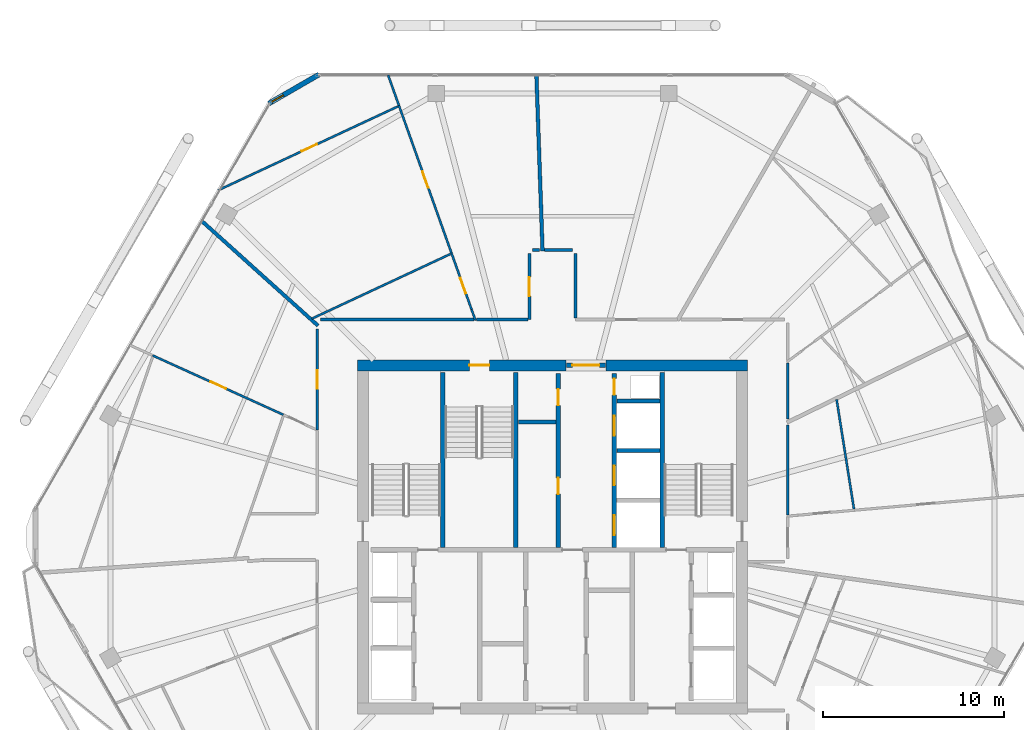
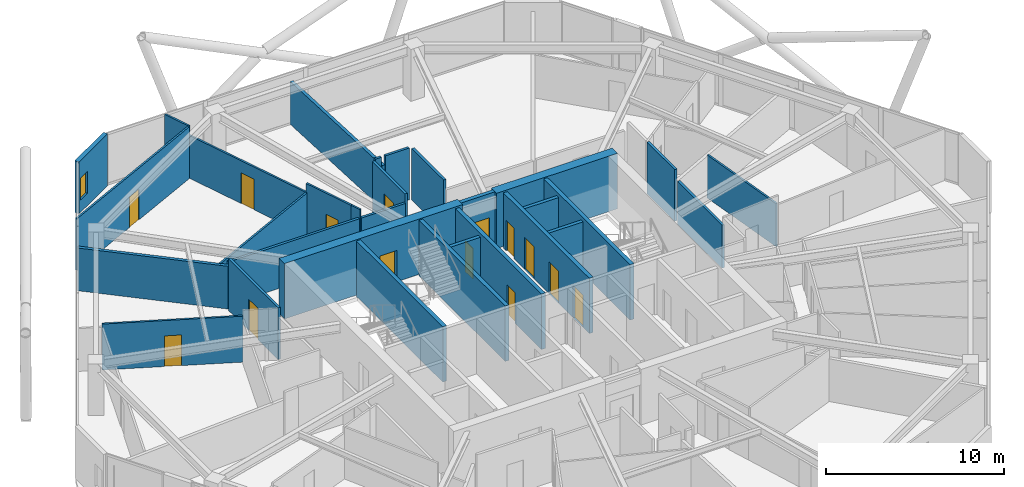
# One storey, part 23 of 27: 31 walls, 14 doors, 1 window, 15 openings.
"""IFC4 building model written with IfcOpenShell, lengths in metres."""

from ifc_helpers import new_model, si_unit, direction, frame, frame_2d, origin, place, context, subcontext, project, spatial, rectangle, extrude, material, layer, layer_set, type_object, element, fill, save


model = new_model("IFC4")

# Units and contexts
model_context = context("Model", 3, precision=1e-05, world=origin(), true_north=direction((0.0, 1.0)))
body_context = subcontext(model_context, "Body", "Model", "MODEL_VIEW")
ifc_project = project(units=[si_unit("LENGTHUNIT", "METRE"), si_unit("AREAUNIT", "SQUARE_METRE"), si_unit("VOLUMEUNIT", "CUBIC_METRE"), si_unit("PLANEANGLEUNIT", "RADIAN"), si_unit("MASSUNIT", "GRAM", prefix="KILO")], contexts=[model_context])

# Site, building, storey
site_placement = place(None, origin())
site = spatial("IfcSite", under=ifc_project, at=site_placement, CompositionType="ELEMENT")
building_placement = place(site_placement, origin())
building = spatial("IfcBuilding", under=site, at=building_placement, Name="Zuhravey Tower", CompositionType="ELEMENT")
storey_placement = place(building_placement, frame((0.0, 0.0, 238.800048828125)))
storey = spatial("IfcBuildingStorey", under=building, at=storey_placement, Name="L60", CompositionType="ELEMENT", Elevation=238.800048828125)

# Wall
ifc_material_1 = material(Name="Concrete C50/60", Category="concrete")
ifc_layer_1 = layer(ifc_material_1, 0.60009765625)
ifc_layer_set_1 = layer_set([ifc_layer_1], Name="Concrete C50/60")
wall_type_1 = type_object("IfcWallType", Name="Core Shear Wall 600", PredefinedType="SHEAR", material=ifc_layer_set_1)
wall_1_placement = place(storey_placement, frame((46.800048828125, 41.5, 0.0), z_axis=(0.0, 0.0, 1.0), x_axis=(-1.0, 0.0, 0.0)))
element("IfcWall", 1, at=wall_1_placement, inside=storey, type_object=wall_type_1, Name="L60 North-East Core Shear Wall CW60", PredefinedType="SHEAR", context=body_context, shape_type="SweptSolid", body=[
    extrude(rectangle(XDim=7.85009765625, YDim=0.60009765625, at=frame_2d((3.925048828125, 0.0))), origin(), (0.0, 0.0, 1.0), 3.800048828125),
])

# Wall, opening, door
wall_2_placement = place(storey_placement, frame((36.75, 41.5, 0.0), z_axis=(0.0, 0.0, 1.0), x_axis=(-1.0, 0.0, 0.0)))
wall_2 = element("IfcWall", 2, at=wall_2_placement, inside=storey, type_object=wall_type_1, Name="L60 North-West Core Shear Wall CW60", PredefinedType="SHEAR", context=body_context, shape_type="SweptSolid", body=[
    extrude(rectangle(XDim=11.550048828125, YDim=0.60009765625, at=frame_2d((5.77490234375, 0.0))), origin(), (0.0, 0.0, 1.0), 3.800048828125),
])
opening_1_placement = place(wall_2_placement, frame((4.25, 0.0, 0.0)))
opening_1 = element("IfcOpeningElement", 3, at=opening_1_placement, cuts=wall_2, Name="Opening STD1", PredefinedType="OPENING", context=body_context, shape_type="SweptSolid", body=[
    extrude(rectangle(XDim=1.10009765625, YDim=2.14990234375, at=frame_2d((0.550048828125, 1.074951171875))), frame((0.0, 0.31201171875, 0.0), z_axis=(0.0, -1.0, 0.0), x_axis=(1.0, 0.0, 0.0)), (0.0, 0.0, 1.0), 0.6240234375),
])
ifc_material_2 = material(Name="Galvanised fire-rated steel leaf", Category="steel")
door_type_1 = type_object("IfcDoorType", Name="Protected Stair Fire Door 1100x2150", OperationType="NOTDEFINED", PredefinedType="USERDEFINED", material=ifc_material_2)
door_1_placement = place(opening_1_placement, origin())
door_1 = element("IfcDoor", 4, at=door_1_placement, inside=storey, type_object=door_type_1, Name="L60 Stair ST3 Door", ObjectType="EXITDOOR", OperationType="SINGLE_SWING_LEFT", OverallHeight=2.14990234375, OverallWidth=1.10009765625, PredefinedType="USERDEFINED", context=body_context, shape_type="SweptSolid", body=[
    extrude(rectangle(XDim=1.10009765625, YDim=2.14990234375, at=frame_2d((0.550048828125, 1.074951171875))), frame((0.0, 0.02490234375, 0.0), z_axis=(0.0, -1.0, 0.0), x_axis=(1.0, 0.0, 0.0)), (0.0, 0.0, 1.0), 0.050048828125),
])
fill(opening_1, door_1)

ifc_material_3 = material(Name="Gypsum fire-rated stud partition")
ifc_layer_2 = layer(ifc_material_3, 0.159912109375)
ifc_layer_set_2 = layer_set([ifc_layer_2], Name="Gypsum fire-rated stud partition")
wall_type_2 = type_object("IfcWallType", Name="Corridor Fire Partition 160", PredefinedType="PARTITIONING", material=ifc_layer_set_2)
wall_3_placement = place(storey_placement, frame((34.719970703125, 47.699951171875, 0.0), z_axis=(0.0, 0.0, 1.0), x_axis=(0.0, -1.0, 0.0)))
wall_3 = element("IfcWall", 5, at=wall_3_placement, inside=storey, type_object=wall_type_2, Name="L60 IW16 Partition 024", PredefinedType="PARTITIONING", context=body_context, shape_type="SweptSolid", body=[
    extrude(rectangle(XDim=3.669921875, YDim=0.159912109375, at=frame_2d((1.8349609375, 0.0))), origin(), (0.0, 0.0, 1.0), 3.550048828125),
])
opening_2_placement = place(wall_3_placement, frame((1.31005859375, 0.0, 0.0)))
opening_2 = element("IfcOpeningElement", 6, at=opening_2_placement, cuts=wall_3, Name="Opening APD1", PredefinedType="OPENING", context=body_context, shape_type="SweptSolid", body=[
    extrude(rectangle(XDim=1.050048828125, YDim=2.14990234375, at=frame_2d((0.52490234375, 1.074951171875))), frame((0.0, 0.092041015625, 0.0), z_axis=(0.0, -1.0, 0.0), x_axis=(1.0, 0.0, 0.0)), (0.0, 0.0, 1.0), 0.183837890625),
])
ifc_material_4 = material(Name="Solid-core oak fire-rated leaf")
door_type_2 = type_object("IfcDoorType", Name="Apartment Entrance Fire Door 1050x2150", OperationType="NOTDEFINED", PredefinedType="DOOR", material=ifc_material_4)
door_2_placement = place(opening_2_placement, frame((1.050048828125, 0.0, 0.0), z_axis=(0.0, 0.0, 1.0), x_axis=(-1.0, 0.0, 0.0)))
door_2 = element("IfcDoor", 7, at=door_2_placement, inside=storey, type_object=door_type_2, Name="L60 Door 024.1", OperationType="SINGLE_SWING_RIGHT", OverallHeight=2.14990234375, OverallWidth=1.050048828125, PredefinedType="DOOR", context=body_context, shape_type="SweptSolid", body=[
    extrude(rectangle(XDim=1.050048828125, YDim=2.14990234375, at=frame_2d((0.52490234375, 1.074951171875))), frame((0.0, 0.02490234375, 0.0), z_axis=(0.0, -1.0, 0.0), x_axis=(1.0, 0.0, 0.0)), (0.0, 0.0, 1.0), 0.050048828125),
])
fill(opening_2, door_2)

wall_4_placement = place(storey_placement, frame((22.969970703125, 43.501220703125, 0.0), z_axis=(0.0, 0.0, 1.0), x_axis=(0.0, -1.0, 0.0)))
wall_4 = element("IfcWall", 8, at=wall_4_placement, inside=storey, type_object=wall_type_2, Name="L60 IW16 Partition 028", PredefinedType="PARTITIONING", context=body_context, shape_type="SweptSolid", body=[
    extrude(rectangle(XDim=5.568603515625, YDim=0.159912109375, at=frame_2d((2.7841796875, 0.0))), origin(), (0.0, 0.0, 1.0), 3.550048828125),
])
opening_3_placement = place(wall_4_placement, frame((2.25927734375, 0.0, 0.0)))
opening_3 = element("IfcOpeningElement", 9, at=opening_3_placement, cuts=wall_4, Name="Opening APD1", PredefinedType="OPENING", context=body_context, shape_type="SweptSolid", body=[
    extrude(rectangle(XDim=1.050048828125, YDim=2.14990234375, at=frame_2d((0.52490234375, 1.074951171875))), frame((0.0, 0.092041015625, 0.0), z_axis=(0.0, -1.0, 0.0), x_axis=(1.0, 0.0, 0.0)), (0.0, 0.0, 1.0), 0.183837890625),
])
door_3_placement = place(opening_3_placement, frame((1.050048828125, 0.0, 0.0), z_axis=(0.0, 0.0, 1.0), x_axis=(-1.0, 0.0, 0.0)))
door_3 = element("IfcDoor", 10, at=door_3_placement, inside=storey, type_object=door_type_2, Name="L60 Door 028.1", OperationType="SINGLE_SWING_RIGHT", OverallHeight=2.14990234375, OverallWidth=1.050048828125, PredefinedType="DOOR", context=body_context, shape_type="SweptSolid", body=[
    extrude(rectangle(XDim=1.050048828125, YDim=2.14990234375, at=frame_2d((0.52490234375, 1.074951171875))), frame((0.0, 0.02490234375, 0.0), z_axis=(0.0, -1.0, 0.0), x_axis=(1.0, 0.0, 0.0)), (0.0, 0.0, 1.0), 0.050048828125),
])
fill(opening_3, door_3)

# Walls
wall_5_placement = place(storey_placement, frame((34.632080078125, 44.030029296875, 0.0), z_axis=(0.0, 0.0, 1.0), x_axis=(-1.0, 0.0, 0.0)))
element("IfcWall", 11, at=wall_5_placement, inside=storey, type_object=wall_type_2, Name="L60 IW16 Partition 094", PredefinedType="PARTITIONING", context=body_context, shape_type="SweptSolid", body=[
    extrude(rectangle(XDim=2.843505859375, YDim=0.159912109375, at=frame_2d((1.421875, 0.0))), origin(), (0.0, 0.0, 1.0), 2.949951171875),
])
wall_6_placement = place(storey_placement, frame((35.28662109375, 47.8798828125, 0.0), z_axis=(0.0, 0.0, 1.0), x_axis=(-1.0, 0.0, 0.0)))
element("IfcWall", 12, at=wall_6_placement, inside=storey, type_object=wall_type_2, Name="L60 IW16 Partition 095", PredefinedType="PARTITIONING", context=body_context, shape_type="SweptSolid", body=[
    extrude(rectangle(XDim=0.38671875, YDim=0.159912109375, at=frame_2d((0.193359375, 0.0))), origin(), (0.0, 0.0, 1.0), 3.550048828125),
])
wall_7_placement = place(storey_placement, frame((31.64404296875, 44.030029296875, 0.0), z_axis=(0.0, 0.0, 1.0), x_axis=(-1.0, 0.0, 0.0)))
element("IfcWall", 13, at=wall_7_placement, inside=storey, type_object=wall_type_2, Name="L60 IW16 Partition 096", PredefinedType="PARTITIONING", context=body_context, shape_type="SweptSolid", body=[
    extrude(rectangle(XDim=8.494140625, YDim=0.159912109375, at=frame_2d((4.2470703125, 0.0))), origin(), (0.0, 0.0, 1.0), 2.949951171875),
])
wall_8_placement = place(storey_placement, frame((49.030029296875, 33.21728515625, 0.0), z_axis=(0.0, 0.0, 1.0), x_axis=(0.0, 1.0, 0.0)))
element("IfcWall", 14, at=wall_8_placement, inside=storey, type_object=wall_type_2, Name="L60 IW16 Partition 111", PredefinedType="PARTITIONING", context=body_context, shape_type="SweptSolid", body=[
    extrude(rectangle(XDim=4.9755859375, YDim=0.159912109375, at=frame_2d((2.48779296875, 0.0))), origin(), (0.0, 0.0, 1.0), 2.949951171875),
])
wall_9_placement = place(storey_placement, frame((49.030029296875, 38.518798828125, 0.0), z_axis=(0.0, 0.0, 1.0), x_axis=(0.0, 1.0, 0.0)))
element("IfcWall", 15, at=wall_9_placement, inside=storey, type_object=wall_type_2, Name="L60 IW16 Partition 113", PredefinedType="PARTITIONING", context=body_context, shape_type="SweptSolid", body=[
    extrude(rectangle(XDim=3.119140625, YDim=0.159912109375, at=frame_2d((1.5595703125, 0.0))), origin(), (0.0, 0.0, 1.0), 3.550048828125),
])
wall_10_placement = place(storey_placement, frame((37.280029296875, 44.117919921875, 0.0), z_axis=(0.0, 0.0, 1.0), x_axis=(0.0, 1.0, 0.0)))
element("IfcWall", 16, at=wall_10_placement, inside=storey, type_object=wall_type_2, Name="L60 IW16 Partition 114", PredefinedType="PARTITIONING", context=body_context, shape_type="SweptSolid", body=[
    extrude(rectangle(XDim=3.58203125, YDim=0.159912109375, at=frame_2d((1.791015625, 0.0))), origin(), (0.0, 0.0, 1.0), 3.550048828125),
])
wall_11_placement = place(storey_placement, frame((37.10009765625, 47.8798828125, 0.0), z_axis=(0.0, 0.0, 1.0), x_axis=(-1.0, 0.0, 0.0)))
element("IfcWall", 17, at=wall_11_placement, inside=storey, type_object=wall_type_2, Name="L60 IW16 Partition 115", PredefinedType="PARTITIONING", context=body_context, shape_type="SweptSolid", body=[
    extrude(rectangle(XDim=1.54638671875, YDim=0.159912109375, at=frame_2d((0.773193359375, 0.0))), origin(), (0.0, 0.0, 1.0), 3.550048828125),
])

# Wall, opening, window
ifc_material_5 = material(Name="Precast concrete C40/50", Category="concrete")
ifc_layer_3 = layer(ifc_material_5, 0.280029296875)
ifc_layer_set_3 = layer_set([ifc_layer_3], Name="Precast concrete C40/50")
wall_type_3 = type_object("IfcWallType", Name="Crown Architectural Wall 280", PredefinedType="SOLIDWALL", material=ifc_layer_set_3)
wall_12_placement = place(storey_placement, frame((20.285400390625, 56.003662109375, 0.0), z_axis=(0.0, 0.0, 1.0), x_axis=(0.866028773314, 0.499994163758, 0.0)))
wall_12 = element("IfcWall", 18, at=wall_12_placement, inside=storey, type_object=wall_type_3, Name="L60 Rounded Corner Closure Wall EW28-08", PredefinedType="SOLIDWALL", context=body_context, shape_type="SweptSolid", body=[
    extrude(rectangle(XDim=3.21484375, YDim=0.280029296875, at=frame_2d((1.607421875, 0.0))), origin(), (0.0, 0.0, 1.0), 3.550048828125),
])
opening_4_placement = place(wall_12_placement, frame((0.17578125, 0.0, 0.85009765625)))
opening_4 = element("IfcOpeningElement", 19, at=opening_4_placement, cuts=wall_12, Name="Opening WN5", PredefinedType="OPENING", context=body_context, shape_type="SweptSolid", body=[
    extrude(rectangle(XDim=0.75, YDim=1.5, at=frame_2d((0.375, 0.75))), frame((0.0, 0.152099609375, 0.0), z_axis=(0.0, -1.0, 0.0), x_axis=(1.0, 0.0, 0.0)), (0.0, 0.0, 1.0), 0.303955078125),
])
ifc_material_6 = material(Name="Thermally broken aluminium and triple low-E glass", Category="aluminium")
window_type = type_object("IfcWindowType", Name="Residential Corner Casement Window 750x1500", PartitioningType="SINGLE_PANEL", PredefinedType="WINDOW", material=ifc_material_6)
window_placement = place(opening_4_placement, origin())
window = element("IfcWindow", 20, at=window_placement, inside=storey, type_object=window_type, Name="L60 Corner Casement Window WN5-08.1", OverallHeight=1.5, OverallWidth=0.75, PartitioningType="SINGLE_PANEL", PredefinedType="WINDOW", context=body_context, shape_type="SweptSolid", body=[
    extrude(rectangle(XDim=0.75, YDim=1.5, at=frame_2d((0.375, 0.75))), frame((0.0, 0.030029296875, 0.0), z_axis=(0.0, -1.0, 0.0), x_axis=(1.0, 0.0, 0.0)), (0.0, 0.0, 1.0), 0.06005859375),
])
fill(opening_4, window)

# Wall, opening, door
ifc_layer_4 = layer(ifc_material_1, 0.25)
ifc_layer_set_4 = layer_set([ifc_layer_4], Name="Concrete C50/60")
wall_type_4 = type_object("IfcWallType", Name="Firefighting Shaft & Stair Wall 250", PredefinedType="SOLIDWALL", material=ifc_layer_set_4)
wall_13_placement = place(storey_placement, frame((36.760009765625, 41.5, 0.0), z_axis=(0.0, 0.0, 1.0), x_axis=(1.0, 0.0, 0.0)))
wall_13 = element("IfcWall", 21, at=wall_13_placement, inside=storey, type_object=wall_type_4, Name="L60 FW25 Shaft Wall 002", PredefinedType="SOLIDWALL", context=body_context, shape_type="SweptSolid", body=[
    extrude(rectangle(XDim=2.179931640625, YDim=0.25, at=frame_2d((1.08984375, 0.0))), origin(), (0.0, 0.0, 1.0), 3.800048828125),
])
opening_5_placement = place(wall_13_placement, frame((0.340087890625, 0.0, 0.0)))
opening_5 = element("IfcOpeningElement", 22, at=opening_5_placement, cuts=wall_13, Name="Opening FFD1", PredefinedType="OPENING", context=body_context, shape_type="SweptSolid", body=[
    extrude(rectangle(XDim=1.5, YDim=2.14990234375, at=frame_2d((0.75, 1.074951171875))), frame((0.0, 0.136962890625, 0.0), z_axis=(0.0, -1.0, 0.0), x_axis=(1.0, 0.0, 0.0)), (0.0, 0.0, 1.0), 0.27392578125),
])
door_type_3 = type_object("IfcDoorType", Name="Firefighting Lobby Double Door 1500x2150", OperationType="DOUBLE_DOOR_SINGLE_SWING", PredefinedType="DOOR", material=ifc_material_2)
door_4_placement = place(opening_5_placement, origin())
door_4 = element("IfcDoor", 23, at=door_4_placement, inside=storey, type_object=door_type_3, Name="L60 North Lift Lobby Exit Door", OperationType="DOUBLE_DOOR_SINGLE_SWING", OverallHeight=2.14990234375, OverallWidth=1.5, PredefinedType="DOOR", context=body_context, shape_type="SweptSolid", body=[
    extrude(rectangle(XDim=1.5, YDim=2.14990234375, at=frame_2d((0.75, 1.074951171875))), frame((0.0, 0.02490234375, 0.0), z_axis=(0.0, -1.0, 0.0), x_axis=(1.0, 0.0, 0.0)), (0.0, 0.0, 1.0), 0.050048828125),
])
fill(opening_5, door_4)

# Walls
for number, where, z_axis, x_axis, name in (
    (24, (29.925048828125, 31.39990234375, 0.0), (0.0, 0.0, 1.0), (0.0, 1.0, 0.0), "L60 FW25 Shaft Wall 004"),
    (25, (33.97509765625, 31.39990234375, 0.0), (0.0, 0.0, 1.0), (0.0, 1.0, 0.0), "L60 FW25 Shaft Wall 005"),
    (26, (42.074951171875, 31.39990234375, 0.0), (0.0, 0.0, 1.0), (0.0, 1.0, 0.0), "L60 FW25 Shaft Wall 006"),
):
    element("IfcWall", number, at=place(storey_placement, frame(where, z_axis=z_axis, x_axis=x_axis)), inside=storey, type_object=wall_type_4, Name=name, PredefinedType="SOLIDWALL", context=body_context, shape_type="SweptSolid", body=[
        extrude(rectangle(XDim=9.7001953125, YDim=0.25, at=frame_2d((4.85009765625, 0.0))), origin(), (0.0, 0.0, 1.0), 3.800048828125),
    ])

# Wall, openings, doors
wall_14_placement = place(storey_placement, frame((36.324951171875, 31.39990234375, 0.0), z_axis=(0.0, 0.0, 1.0), x_axis=(0.0, 1.0, 0.0)))
wall_14 = element("IfcWall", 27, at=wall_14_placement, inside=storey, type_object=wall_type_4, Name="L60 FW25 Shaft Wall 007", PredefinedType="SOLIDWALL", context=body_context, shape_type="SweptSolid", body=[
    extrude(rectangle(XDim=9.650146484375, YDim=0.25, at=frame_2d((4.8251953125, 0.0))), origin(), (0.0, 0.0, 1.0), 3.800048828125),
])
opening_6_placement = place(wall_14_placement, frame((2.965087890625, 0.0, 0.0)))
opening_6 = element("IfcOpeningElement", 28, at=opening_6_placement, cuts=wall_14, Name="Opening RSD1", PredefinedType="OPENING", context=body_context, shape_type="SweptSolid", body=[
    extrude(rectangle(XDim=0.89990234375, YDim=2.10009765625, at=frame_2d((0.449951171875, 1.050048828125))), frame((0.0, 0.136962890625, 0.0), z_axis=(0.0, -1.0, 0.0), x_axis=(1.0, 0.0, 0.0)), (0.0, 0.0, 1.0), 0.27392578125),
])
opening_7_placement = place(wall_14_placement, frame((7.885009765625, 0.0, 0.0)))
opening_7 = element("IfcOpeningElement", 29, at=opening_7_placement, cuts=wall_14, Name="Opening RSD1", PredefinedType="OPENING", context=body_context, shape_type="SweptSolid", body=[
    extrude(rectangle(XDim=0.89990234375, YDim=2.10009765625, at=frame_2d((0.449951171875, 1.050048828125))), frame((0.0, 0.136962890625, 0.0), z_axis=(0.0, -1.0, 0.0), x_axis=(1.0, 0.0, 0.0)), (0.0, 0.0, 1.0), 0.27392578125),
])
ifc_material_7 = material(Name="Galvanised fire-rated steel access leaf", Category="steel")
door_type_4 = type_object("IfcDoorType", Name="Riser & Shaft Access Fire Door 900x2100", OperationType="NOTDEFINED", PredefinedType="DOOR", material=ifc_material_7)
door_5_placement = place(opening_6_placement, origin())
door_5 = element("IfcDoor", 30, at=door_5_placement, inside=storey, type_object=door_type_4, Name="L60 Equipment and Refuse Store Door", OperationType="SINGLE_SWING_LEFT", OverallHeight=2.10009765625, OverallWidth=0.89990234375, PredefinedType="DOOR", context=body_context, shape_type="SweptSolid", body=[
    extrude(rectangle(XDim=0.89990234375, YDim=2.10009765625, at=frame_2d((0.449951171875, 1.050048828125))), frame((0.0, 0.02490234375, 0.0), z_axis=(0.0, -1.0, 0.0), x_axis=(1.0, 0.0, 0.0)), (0.0, 0.0, 1.0), 0.050048828125),
])
fill(opening_6, door_5)
door_6_placement = place(opening_7_placement, origin())
door_6 = element("IfcDoor", 31, at=door_6_placement, inside=storey, type_object=door_type_4, Name="L60 BMS Control Room Door", OperationType="SINGLE_SWING_RIGHT", OverallHeight=2.10009765625, OverallWidth=0.89990234375, PredefinedType="DOOR", context=body_context, shape_type="SweptSolid", body=[
    extrude(rectangle(XDim=0.89990234375, YDim=2.10009765625, at=frame_2d((0.449951171875, 1.050048828125))), frame((0.0, 0.02490234375, 0.0), z_axis=(0.0, -1.0, 0.0), x_axis=(1.0, 0.0, 0.0)), (0.0, 0.0, 1.0), 0.050048828125),
])
fill(opening_7, door_6)

wall_15_placement = place(storey_placement, frame((39.425048828125, 31.39990234375, 0.0), z_axis=(0.0, 0.0, 1.0), x_axis=(0.0, 1.0, 0.0)))
wall_15 = element("IfcWall", 32, at=wall_15_placement, inside=storey, type_object=wall_type_4, Name="L60 FW25 Shaft Wall 008", PredefinedType="SOLIDWALL", context=body_context, shape_type="SweptSolid", body=[
    extrude(rectangle(XDim=9.650146484375, YDim=0.25, at=frame_2d((4.8251953125, 0.0))), origin(), (0.0, 0.0, 1.0), 3.800048828125),
])
opening_8_placement = place(wall_15_placement, frame((0.699951171875, 0.0, 0.0)))
opening_8 = element("IfcOpeningElement", 33, at=opening_8_placement, cuts=wall_15, Name="Opening LD1", PredefinedType="OPENING", context=body_context, shape_type="SweptSolid", body=[
    extrude(rectangle(XDim=1.10009765625, YDim=2.199951171875, at=frame_2d((0.550048828125, 1.10009765625))), frame((0.0, 0.136962890625, 0.0), z_axis=(0.0, -1.0, 0.0), x_axis=(1.0, 0.0, 0.0)), (0.0, 0.0, 1.0), 0.27392578125),
])
opening_9_placement = place(wall_15_placement, frame((3.449951171875, 0.0, 0.0)))
opening_9 = element("IfcOpeningElement", 34, at=opening_9_placement, cuts=wall_15, Name="Opening LD1", PredefinedType="OPENING", context=body_context, shape_type="SweptSolid", body=[
    extrude(rectangle(XDim=1.10009765625, YDim=2.199951171875, at=frame_2d((0.550048828125, 1.10009765625))), frame((0.0, 0.136962890625, 0.0), z_axis=(0.0, -1.0, 0.0), x_axis=(1.0, 0.0, 0.0)), (0.0, 0.0, 1.0), 0.27392578125),
])
opening_10_placement = place(wall_15_placement, frame((6.199951171875, 0.0, 0.0)))
opening_10 = element("IfcOpeningElement", 35, at=opening_10_placement, cuts=wall_15, Name="Opening LD1", PredefinedType="OPENING", context=body_context, shape_type="SweptSolid", body=[
    extrude(rectangle(XDim=1.10009765625, YDim=2.199951171875, at=frame_2d((0.550048828125, 1.10009765625))), frame((0.0, 0.136962890625, 0.0), z_axis=(0.0, -1.0, 0.0), x_axis=(1.0, 0.0, 0.0)), (0.0, 0.0, 1.0), 0.27392578125),
])
opening_11_placement = place(wall_15_placement, frame((8.469970703125, 0.0, 0.0)))
opening_11 = element("IfcOpeningElement", 36, at=opening_11_placement, cuts=wall_15, Name="Opening RSD1", PredefinedType="OPENING", context=body_context, shape_type="SweptSolid", body=[
    extrude(rectangle(XDim=0.89990234375, YDim=2.10009765625, at=frame_2d((0.449951171875, 1.050048828125))), frame((0.0, 0.136962890625, 0.0), z_axis=(0.0, -1.0, 0.0), x_axis=(1.0, 0.0, 0.0)), (0.0, 0.0, 1.0), 0.27392578125),
])
ifc_material_8 = material(Name="Brushed stainless steel", Category="steel")
door_type_5 = type_object("IfcDoorType", Name="Lift Landing Sliding Door 1100x2200", OperationType="DOUBLE_DOOR_SLIDING", PredefinedType="DOOR", material=ifc_material_8)
door_7_placement = place(opening_8_placement, origin())
door_7 = element("IfcDoor", 37, at=door_7_placement, inside=storey, type_object=door_type_5, Name="L60 Lift PL7 Landing Door", OperationType="DOUBLE_DOOR_SLIDING", OverallHeight=2.199951171875, OverallWidth=1.10009765625, PredefinedType="DOOR", context=body_context, shape_type="SweptSolid", body=[
    extrude(rectangle(XDim=1.10009765625, YDim=2.199951171875, at=frame_2d((0.550048828125, 1.10009765625))), frame((0.0, 0.02490234375, 0.0), z_axis=(0.0, -1.0, 0.0), x_axis=(1.0, 0.0, 0.0)), (0.0, 0.0, 1.0), 0.050048828125),
])
fill(opening_8, door_7)
door_8_placement = place(opening_9_placement, origin())
door_8 = element("IfcDoor", 38, at=door_8_placement, inside=storey, type_object=door_type_5, Name="L60 Lift PL8 Landing Door", OperationType="DOUBLE_DOOR_SLIDING", OverallHeight=2.199951171875, OverallWidth=1.10009765625, PredefinedType="DOOR", context=body_context, shape_type="SweptSolid", body=[
    extrude(rectangle(XDim=1.10009765625, YDim=2.199951171875, at=frame_2d((0.550048828125, 1.10009765625))), frame((0.0, 0.02490234375, 0.0), z_axis=(0.0, -1.0, 0.0), x_axis=(1.0, 0.0, 0.0)), (0.0, 0.0, 1.0), 0.050048828125),
])
fill(opening_9, door_8)
door_9_placement = place(opening_10_placement, origin())
door_9 = element("IfcDoor", 39, at=door_9_placement, inside=storey, type_object=door_type_5, Name="L60 Lift PL9 Landing Door", OperationType="DOUBLE_DOOR_SLIDING", OverallHeight=2.199951171875, OverallWidth=1.10009765625, PredefinedType="DOOR", context=body_context, shape_type="SweptSolid", body=[
    extrude(rectangle(XDim=1.10009765625, YDim=2.199951171875, at=frame_2d((0.550048828125, 1.10009765625))), frame((0.0, 0.02490234375, 0.0), z_axis=(0.0, -1.0, 0.0), x_axis=(1.0, 0.0, 0.0)), (0.0, 0.0, 1.0), 0.050048828125),
])
fill(opening_10, door_9)
door_10_placement = place(opening_11_placement, origin())
door_10 = element("IfcDoor", 40, at=door_10_placement, inside=storey, type_object=door_type_4, Name="L60 North Riser Door", OperationType="SINGLE_SWING_LEFT", OverallHeight=2.10009765625, OverallWidth=0.89990234375, PredefinedType="DOOR", context=body_context, shape_type="SweptSolid", body=[
    extrude(rectangle(XDim=0.89990234375, YDim=2.10009765625, at=frame_2d((0.449951171875, 1.050048828125))), frame((0.0, 0.02490234375, 0.0), z_axis=(0.0, -1.0, 0.0), x_axis=(1.0, 0.0, 0.0)), (0.0, 0.0, 1.0), 0.050048828125),
])
fill(opening_11, door_10)

# Walls
ifc_material_9 = material(Name="Gypsum double-stud party assembly")
ifc_layer_5 = layer(ifc_material_9, 0.199951171875)
ifc_layer_set_5 = layer_set([ifc_layer_5], Name="Gypsum double-stud party assembly")
wall_type_5 = type_object("IfcWallType", Name="Inter-Tenancy Party Wall 200", PredefinedType="PARTITIONING", material=ifc_layer_set_5)
wall_16_placement = place(storey_placement, frame((35.447021484375, 47.840087890625, 0.0), z_axis=(0.0, 0.0, 1.0), x_axis=(-0.034903897424, 0.999390673333, 0.0)))
element("IfcWall", 41, at=wall_16_placement, inside=storey, type_object=wall_type_5, Name="L60 IW20 Partition 058", PredefinedType="PARTITIONING", context=body_context, shape_type="SweptSolid", body=[
    extrude(rectangle(XDim=9.7294921875, YDim=0.199951171875, at=frame_2d((4.86474609375, 0.0))), origin(), (0.0, 0.0, 1.0), 2.929931640625),
])
wall_17_placement = place(storey_placement, frame((23.010009765625, 43.6962890625, 0.0), z_axis=(0.0, 0.0, 1.0), x_axis=(-0.743146853016, 0.669128354542, 0.0)))
element("IfcWall", 42, at=wall_17_placement, inside=storey, type_object=wall_type_5, Name="L60 IW20 Partition 062", PredefinedType="PARTITIONING", context=body_context, shape_type="SweptSolid", body=[
    extrude(rectangle(XDim=8.655029296875, YDim=0.199951171875, at=frame_2d((4.32763671875, 0.0))), origin(), (0.0, 0.0, 1.0), 2.929931640625),
])
ifc_material_10 = material(Name="Gypsum acoustic stud assembly")
ifc_layer_6 = layer(ifc_material_10, 0.219970703125)
ifc_layer_set_6 = layer_set([ifc_layer_6], Name="Gypsum acoustic stud assembly")
wall_type_6 = type_object("IfcWallType", Name="School Acoustic Compartment Wall 220", PredefinedType="PARTITIONING", material=ifc_layer_set_6)
wall_18_placement = place(storey_placement, frame((34.10791015625, 38.35009765625, 0.0), z_axis=(0.0, 0.0, 1.0), x_axis=(1.0, 0.0, 0.0)))
element("IfcWall", 43, at=wall_18_placement, inside=storey, type_object=wall_type_6, Name="L60 IW22 Partition 054", PredefinedType="PARTITIONING", context=body_context, shape_type="SweptSolid", body=[
    extrude(rectangle(XDim=2.083984375, YDim=0.219970703125, at=frame_2d((1.0419921875, 0.0))), origin(), (0.0, 0.0, 1.0), 3.550048828125),
])
for number, where, z_axis, x_axis, name in (
    (44, (39.55810546875, 36.77490234375, 0.0), (0.0, 0.0, 1.0), (1.0, 0.0, 0.0), "L60 IW22 Partition 056"),
    (45, (39.55810546875, 39.52490234375, 0.0), (0.0, 0.0, 1.0), (1.0, 0.0, 0.0), "L60 IW22 Partition 057"),
):
    element("IfcWall", number, at=place(storey_placement, frame(where, z_axis=z_axis, x_axis=x_axis)), inside=storey, type_object=wall_type_6, Name=name, PredefinedType="PARTITIONING", context=body_context, shape_type="SweptSolid", body=[
        extrude(rectangle(XDim=2.3837890625, YDim=0.219970703125, at=frame_2d((1.19189453125, 0.0))), origin(), (0.0, 0.0, 1.0), 3.550048828125),
    ])

# Wall, opening, door
ifc_material_11 = material(Name="Gypsum metal-stud partition")
ifc_layer_7 = layer(ifc_material_11, 0.1201171875)
ifc_layer_set_7 = layer_set([ifc_layer_7], Name="Gypsum metal-stud partition")
wall_type_7 = type_object("IfcWallType", Name="Unit Internal Partition 120", PredefinedType="PARTITIONING", material=ifc_layer_set_7)
wall_19_placement = place(storey_placement, frame((31.51318359375, 44.60009765625, 0.0), z_axis=(0.0, 0.0, 1.0), x_axis=(-0.335421123767, 0.94206829356, 0.0)))
wall_19 = element("IfcWall", 46, at=wall_19_placement, inside=storey, type_object=wall_type_7, Name="L60 IW12 Partition 021", PredefinedType="PARTITIONING", context=body_context, shape_type="SweptSolid", body=[
    extrude(rectangle(XDim=3.3125, YDim=0.1201171875, at=frame_2d((1.65625, 0.0))), origin(), (0.0, 0.0, 1.0), 3.550048828125),
])
opening_12_placement = place(wall_19_placement, frame((0.94140625, 0.0, 0.0)))
opening_12 = element("IfcOpeningElement", 47, at=opening_12_placement, cuts=wall_19, Name="Opening WCD1", PredefinedType="OPENING", context=body_context, shape_type="SweptSolid", body=[
    extrude(rectangle(XDim=0.89990234375, YDim=2.10009765625, at=frame_2d((0.449951171875, 1.050048828125))), frame((0.0, 0.072021484375, 0.0), z_axis=(0.0, -1.0, 0.0), x_axis=(1.0, 0.0, 0.0)), (0.0, 0.0, 1.0), 0.14404296875),
])
ifc_material_12 = material(Name="Moisture-resistant timber leaf", Category="wood")
door_type_6 = type_object("IfcDoorType", Name="Bathroom & WC Internal Door 900x2100", OperationType="NOTDEFINED", PredefinedType="DOOR", material=ifc_material_12)
door_11_placement = place(opening_12_placement, origin())
door_11 = element("IfcDoor", 48, at=door_11_placement, inside=storey, type_object=door_type_6, Name="Apartment L60-01 Bathroom Door", OperationType="SINGLE_SWING_LEFT", OverallHeight=2.10009765625, OverallWidth=0.89990234375, PredefinedType="DOOR", context=body_context, shape_type="SweptSolid", body=[
    extrude(rectangle(XDim=0.89990234375, YDim=2.10009765625, at=frame_2d((0.449951171875, 1.050048828125))), frame((0.0, 0.02490234375, 0.0), z_axis=(0.0, -1.0, 0.0), x_axis=(1.0, 0.0, 0.0)), (0.0, 0.0, 1.0), 0.050048828125),
])
fill(opening_12, door_11)

wall_20_placement = place(storey_placement, frame((30.402099609375, 47.720703125, 0.0), z_axis=(0.0, 0.0, 1.0), x_axis=(-0.335444891368, 0.942059830826, 0.0)))
wall_20 = element("IfcWall", 49, at=wall_20_placement, inside=storey, type_object=wall_type_7, Name="L60 IW12 Partition 022", PredefinedType="PARTITIONING", context=body_context, shape_type="SweptSolid", body=[
    extrude(rectangle(XDim=8.675537109375, YDim=0.1201171875, at=frame_2d((4.337890625, 0.0))), origin(), (0.0, 0.0, 1.0), 2.929931640625),
])
opening_13_placement = place(wall_20_placement, frame((3.837890625, 0.0, 0.0)))
opening_13 = element("IfcOpeningElement", 50, at=opening_13_placement, cuts=wall_20, Name="Opening IND1", PredefinedType="OPENING", context=body_context, shape_type="SweptSolid", body=[
    extrude(rectangle(XDim=0.949951171875, YDim=2.10009765625, at=frame_2d((0.47509765625, 1.050048828125))), frame((0.0, 0.072021484375, 0.0), z_axis=(0.0, -1.0, 0.0), x_axis=(1.0, 0.0, 0.0)), (0.0, 0.0, 1.0), 0.14404296875),
])
ifc_material_13 = material(Name="Painted engineered timber leaf", Category="wood")
door_type_7 = type_object("IfcDoorType", Name="Internal Room & Bedroom Door 950x2100", OperationType="NOTDEFINED", PredefinedType="DOOR", material=ifc_material_13)
door_12_placement = place(opening_13_placement, origin())
door_12 = element("IfcDoor", 51, at=door_12_placement, inside=storey, type_object=door_type_7, Name="Apartment L60-01 Home Office Door", OperationType="SINGLE_SWING_RIGHT", OverallHeight=2.10009765625, OverallWidth=0.949951171875, PredefinedType="DOOR", context=body_context, shape_type="SweptSolid", body=[
    extrude(rectangle(XDim=0.949951171875, YDim=2.10009765625, at=frame_2d((0.47509765625, 1.050048828125))), frame((0.0, 0.02490234375, 0.0), z_axis=(0.0, -1.0, 0.0), x_axis=(1.0, 0.0, 0.0)), (0.0, 0.0, 1.0), 0.050048828125),
])
fill(opening_13, door_12)

wall_21_placement = place(storey_placement, frame((27.438232421875, 55.84130859375, 0.0), z_axis=(0.0, 0.0, 1.0), x_axis=(-0.906302762653, -0.4226290364, 0.0)))
wall_21 = element("IfcWall", 52, at=wall_21_placement, inside=storey, type_object=wall_type_7, Name="L60 IW12 Partition 023", PredefinedType="PARTITIONING", context=body_context, shape_type="SweptSolid", body=[
    extrude(rectangle(XDim=10.998291015625, YDim=0.1201171875, at=frame_2d((5.4990234375, 0.0))), origin(), (0.0, 0.0, 1.0), 3.550048828125),
])
opening_14_placement = place(wall_21_placement, frame((4.939697265625, 0.0, 0.0)))
opening_14 = element("IfcOpeningElement", 53, at=opening_14_placement, cuts=wall_21, Name="Opening IND1", PredefinedType="OPENING", context=body_context, shape_type="SweptSolid", body=[
    extrude(rectangle(XDim=0.949951171875, YDim=2.10009765625, at=frame_2d((0.47509765625, 1.050048828125))), frame((0.0, 0.072021484375, 0.0), z_axis=(0.0, -1.0, 0.0), x_axis=(1.0, 0.0, 0.0)), (0.0, 0.0, 1.0), 0.14404296875),
])
door_13_placement = place(opening_14_placement, frame((0.949951171875, 0.0, 0.0), z_axis=(0.0, 0.0, 1.0), x_axis=(-1.0, 0.0, 0.0)))
door_13 = element("IfcDoor", 54, at=door_13_placement, inside=storey, type_object=door_type_7, Name="Apartment L60-01 Bedroom 1 Door", OperationType="SINGLE_SWING_LEFT", OverallHeight=2.10009765625, OverallWidth=0.949951171875, PredefinedType="DOOR", context=body_context, shape_type="SweptSolid", body=[
    extrude(rectangle(XDim=0.949951171875, YDim=2.10009765625, at=frame_2d((0.47509765625, 1.050048828125))), frame((0.0, 0.02490234375, 0.0), z_axis=(0.0, -1.0, 0.0), x_axis=(1.0, 0.0, 0.0)), (0.0, 0.0, 1.0), 0.050048828125),
])
fill(opening_14, door_13)

wall_22_placement = place(storey_placement, frame((21.08544921875, 38.765625, 0.0), z_axis=(0.0, 0.0, 1.0), x_axis=(-0.91068296075, 0.413105973085, 0.0)))
wall_22 = element("IfcWall", 55, at=wall_22_placement, inside=storey, type_object=wall_type_7, Name="L60 IW12 Partition 026", PredefinedType="PARTITIONING", context=body_context, shape_type="SweptSolid", body=[
    extrude(rectangle(XDim=7.9453125, YDim=0.1201171875, at=frame_2d((3.97265625, 0.0))), origin(), (0.0, 0.0, 1.0), 3.14990234375),
])
opening_15_placement = place(wall_22_placement, frame((3.47265625, 0.0, 0.0)))
opening_15 = element("IfcOpeningElement", 56, at=opening_15_placement, cuts=wall_22, Name="Opening IND1", PredefinedType="OPENING", context=body_context, shape_type="SweptSolid", body=[
    extrude(rectangle(XDim=0.949951171875, YDim=2.10009765625, at=frame_2d((0.47509765625, 1.050048828125))), frame((0.0, 0.072021484375, 0.0), z_axis=(0.0, -1.0, 0.0), x_axis=(1.0, 0.0, 0.0)), (0.0, 0.0, 1.0), 0.14404296875),
])
door_14_placement = place(opening_15_placement, origin())
door_14 = element("IfcDoor", 57, at=door_14_placement, inside=storey, type_object=door_type_7, Name="Apartment L60-02 Home Office Door", OperationType="SINGLE_SWING_RIGHT", OverallHeight=2.10009765625, OverallWidth=0.949951171875, PredefinedType="DOOR", context=body_context, shape_type="SweptSolid", body=[
    extrude(rectangle(XDim=0.949951171875, YDim=2.10009765625, at=frame_2d((0.47509765625, 1.050048828125))), frame((0.0, 0.02490234375, 0.0), z_axis=(0.0, -1.0, 0.0), x_axis=(1.0, 0.0, 0.0)), (0.0, 0.0, 1.0), 0.050048828125),
])
fill(opening_15, door_14)

# Walls
wall_23_placement = place(storey_placement, frame((31.731689453125, 43.986572265625, 0.0), z_axis=(0.0, 0.0, 1.0), x_axis=(-0.335505115036, 0.942038384454, 0.0)))
element("IfcWall", 58, at=wall_23_placement, inside=storey, type_object=wall_type_7, Name="L60 IW12 Partition 059", PredefinedType="PARTITIONING", context=body_context, shape_type="SweptSolid", body=[
    extrude(rectangle(XDim=0.6513671875, YDim=0.1201171875, at=frame_2d((0.32568359375, 0.0))), origin(), (0.0, 0.0, 1.0), 3.550048828125),
])
wall_24_placement = place(storey_placement, frame((27.491943359375, 55.8935546875, 0.0), z_axis=(0.0, 0.0, 1.0), x_axis=(-0.335440333939, 0.942061453604, 0.0)))
element("IfcWall", 59, at=wall_24_placement, inside=storey, type_object=wall_type_7, Name="L60 IW12 Partition 060", PredefinedType="PARTITIONING", context=body_context, shape_type="SweptSolid", body=[
    extrude(rectangle(XDim=1.778076171875, YDim=0.1201171875, at=frame_2d((0.88916015625, 0.0))), origin(), (0.0, 0.0, 1.0), 3.550048828125),
])
wall_25_placement = place(storey_placement, frame((30.3486328125, 47.668212890625, 0.0), z_axis=(0.0, 0.0, 1.0), x_axis=(-0.906307413794, -0.422619062162, 0.0)))
element("IfcWall", 60, at=wall_25_placement, inside=storey, type_object=wall_type_7, Name="L60 IW12 Partition 061", PredefinedType="PARTITIONING", context=body_context, shape_type="SweptSolid", body=[
    extrude(rectangle(XDim=8.479248046875, YDim=0.1201171875, at=frame_2d((4.23974609375, 0.0))), origin(), (0.0, 0.0, 1.0), 2.949951171875),
])
wall_26_placement = place(storey_placement, frame((52.69580078125, 33.540771484375, 0.0), z_axis=(0.0, 0.0, 1.0), x_axis=(-0.156398775455, 0.987693992609, 0.0)))
element("IfcWall", 61, at=wall_26_placement, inside=storey, type_object=wall_type_7, Name="L60 IW12 Partition 088", PredefinedType="PARTITIONING", context=body_context, shape_type="SweptSolid", body=[
    extrude(rectangle(XDim=6.150390625, YDim=0.1201171875, at=frame_2d((3.0751953125, 0.0))), origin(), (0.0, 0.0, 1.0), 2.949951171875),
])

save(model, "model.ifc")
